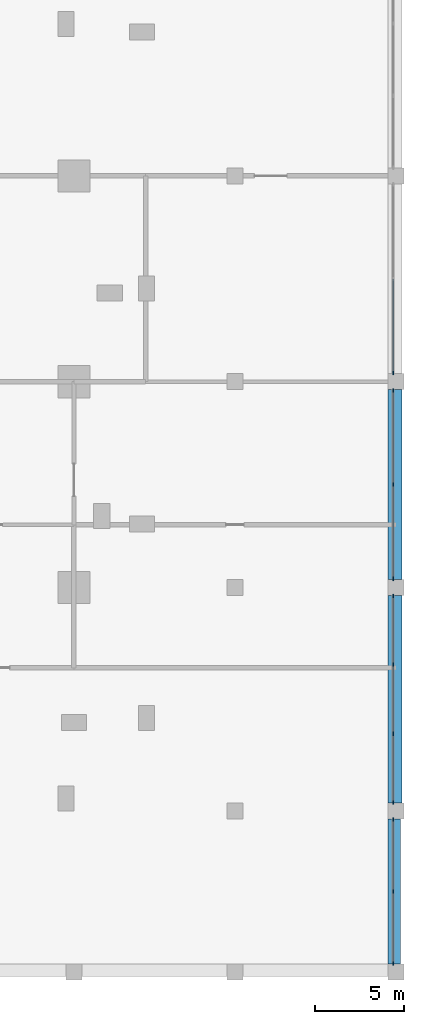
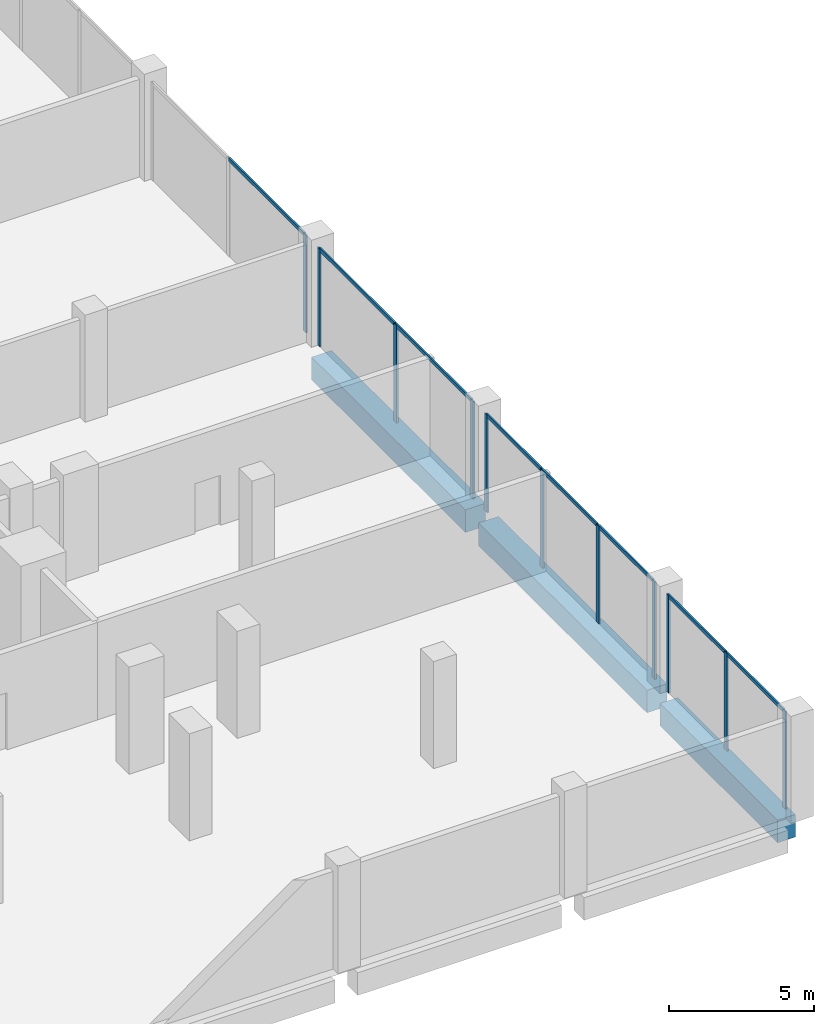
# One storey, part 8 of 22: 19 members, 3 beams, 4 elements without a shape of their own.
"""IFC4 building model written with IfcOpenShell, lengths in metres."""

from ifc_helpers import new_model, si_unit, direction, frame, origin, origin_2d, place, context, subcontext, project, spatial, rectangle, extrude, material, layer, layer_set, material_profile, profile_set, type_object, element, aggregate, save


model = new_model("IFC4")

# Units and contexts
model_context = context("Model", 3, precision=1e-05, world=origin(), true_north=direction((0.0, 1.0)))
body_context = subcontext(model_context, "Body", "Model", "MODEL_VIEW")
ifc_project = project(units=[si_unit("LENGTHUNIT", "METRE"), si_unit("AREAUNIT", "SQUARE_METRE"), si_unit("VOLUMEUNIT", "CUBIC_METRE"), si_unit("PLANEANGLEUNIT", "RADIAN"), si_unit("MASSUNIT", "GRAM", prefix="KILO")], contexts=[model_context])

# Site, building, storey
site_placement = place(None, origin())
site = spatial("IfcSite", under=ifc_project, at=site_placement, CompositionType="ELEMENT")
building_placement = place(site_placement, origin())
building = spatial("IfcBuilding", under=site, at=building_placement, Name="Brigalow Station Residences", CompositionType="ELEMENT")
storey_placement = place(building_placement, frame((0.0, 0.0, 6.5)))
storey = spatial("IfcBuildingStorey", under=building, at=storey_placement, Name="L01", CompositionType="ELEMENT", Elevation=6.5)

# Beams
ifc_material_1 = material(Name="Concrete C65", Category="concrete")
ifc_material_profile_1 = material_profile(ifc_material_1, rectangle(XDim=0.699951171875, YDim=0.949951171875, at=origin_2d()), Name="RC700x950")
ifc_profile_set_1 = profile_set([ifc_material_profile_1], Name="Concrete C65")
beam_type_1 = type_object("IfcBeamType", Name="EDGE GIRDER 4.5 TO 9.9 M SPAN 700x950 C65", PredefinedType="BEAM", material=ifc_profile_set_1)
beam_1_placement = place(storey_placement, frame((89.89990234375, -8.550048828125, -0.876953125), z_axis=(0.0, 1.0, 0.0), x_axis=(-1.0, 0.0, 0.0)))
element("IfcBeam", 1, at=beam_1_placement, inside=storey, type_object=beam_type_1, Name="PODIUM EDGE GIRDER E13 L01", PredefinedType="BEAM", context=body_context, shape_type="SweptSolid", body=[
    extrude(rectangle(XDim=0.699951171875, YDim=0.949951171875, at=origin_2d()), origin(), (0.0, 0.0, 1.0), 8.10009765625),
])
ifc_material_2 = material(Name="Concrete C65", Category="concrete")
ifc_material_profile_2 = material_profile(ifc_material_2, rectangle(XDim=0.800048828125, YDim=0.949951171875, at=origin_2d()), Name="RC800x950")
ifc_profile_set_2 = profile_set([ifc_material_profile_2], Name="Concrete C65")
beam_type_2 = type_object("IfcBeamType", Name="EDGE GIRDER OVER 9.9 M SPAN 800x950 C65", PredefinedType="BEAM", material=ifc_profile_set_2)
beam_2_placement = place(storey_placement, frame((89.949951171875, 0.449951171875, -0.876953125), z_axis=(0.0, 1.0, 0.0), x_axis=(-1.0, 0.0, 0.0)))
element("IfcBeam", 2, at=beam_2_placement, inside=storey, type_object=beam_type_2, Name="PODIUM EDGE GIRDER E14 L01", PredefinedType="BEAM", context=body_context, shape_type="SweptSolid", body=[
    extrude(rectangle(XDim=0.800048828125, YDim=0.949951171875, at=origin_2d()), origin(), (0.0, 0.0, 1.0), 11.60009765625),
])
beam_3_placement = place(storey_placement, frame((89.949951171875, 12.949951171875, -0.876953125), z_axis=(0.0, 1.0, 0.0), x_axis=(-1.0, 0.0, 0.0)))
element("IfcBeam", 3, at=beam_3_placement, inside=storey, type_object=beam_type_2, Name="PODIUM EDGE GIRDER E15 L01", PredefinedType="BEAM", context=body_context, shape_type="SweptSolid", body=[
    extrude(rectangle(XDim=0.800048828125, YDim=0.949951171875, at=origin_2d()), origin(), (0.0, 0.0, 1.0), 10.60009765625),
])

# Curtain wall, members
ifc_material_3 = material(Name="Aluminium", Category="aluminium")
ifc_layer = layer(ifc_material_3, 0.199951171875)
ifc_layer_set = layer_set([ifc_layer], Name="PODIUM UNITISED GLAZING CURTAIN WALL")
curtain_wall_type = type_object("IfcCurtainWallType", Name="PODIUM UNITISED GLAZING CURTAIN WALL", PredefinedType="NOTDEFINED", material=ifc_layer_set)
curtain_wall_1_placement = place(storey_placement, origin())
curtain_wall_1 = element("IfcCurtainWall", 4, at=curtain_wall_1_placement, inside=storey, type_object=curtain_wall_type, Name="L01/cw/podium-W-L01-13-1", PredefinedType="NOTDEFINED")
ifc_material_4 = material(Name="Aluminium", Category="aluminium")
ifc_material_profile_3 = material_profile(ifc_material_4, rectangle(XDim=0.06494140625, YDim=0.199951171875, at=origin_2d()), Name="PODIUM UNITISED GLAZING MULLION 65x200")
ifc_profile_set_3 = profile_set([ifc_material_profile_3], Name="Aluminium")
member_type_1 = type_object("IfcMemberType", Name="PODIUM UNITISED GLAZING MULLION 65x200", PredefinedType="MULLION", material=ifc_profile_set_3)
member_1_placement = place(storey_placement, frame((89.85009765625, -8.517578125, 0.0), z_axis=(0.0, 0.0, 1.0), x_axis=(-1.0, 0.0, 0.0)))
member_1 = element("IfcMember", 5, at=member_1_placement, type_object=member_type_1, Name="L01/cw/podium-W-L01-13-1/M00", PredefinedType="MULLION", context=body_context, shape_type="SweptSolid", body=[
    extrude(rectangle(XDim=0.06494140625, YDim=0.199951171875, at=origin_2d()), origin(), (0.0, 0.0, 1.0), 4.097900390625),
])
member_2_placement = place(storey_placement, frame((89.85009765625, -4.5, 0.0), z_axis=(0.0, 0.0, 1.0), x_axis=(-1.0, 0.0, 0.0)))
member_2 = element("IfcMember", 6, at=member_2_placement, type_object=member_type_1, Name="L01/cw/podium-W-L01-13-1/M01", PredefinedType="MULLION", context=body_context, shape_type="SweptSolid", body=[
    extrude(rectangle(XDim=0.06494140625, YDim=0.199951171875, at=origin_2d()), origin(), (0.0, 0.0, 1.0), 4.097900390625),
])
member_3_placement = place(storey_placement, frame((89.85009765625, -0.482421875, 0.0), z_axis=(0.0, 0.0, 1.0), x_axis=(-1.0, 0.0, 0.0)))
member_3 = element("IfcMember", 7, at=member_3_placement, type_object=member_type_1, Name="L01/cw/podium-W-L01-13-1/M02", PredefinedType="MULLION", context=body_context, shape_type="SweptSolid", body=[
    extrude(rectangle(XDim=0.06494140625, YDim=0.199951171875, at=origin_2d()), origin(), (0.0, 0.0, 1.0), 4.097900390625),
])

curtain_wall_2_placement = place(storey_placement, origin())
curtain_wall_2 = element("IfcCurtainWall", 8, at=curtain_wall_2_placement, inside=storey, type_object=curtain_wall_type, Name="L01/cw/podium-W-L01-13-2", PredefinedType="NOTDEFINED")
member_4_placement = place(storey_placement, frame((89.85009765625, 0.482421875, 0.0), z_axis=(0.0, 0.0, 1.0), x_axis=(-1.0, 0.0, 0.0)))
member_4 = element("IfcMember", 9, at=member_4_placement, type_object=member_type_1, Name="L01/cw/podium-W-L01-13-2/M00", PredefinedType="MULLION", context=body_context, shape_type="SweptSolid", body=[
    extrude(rectangle(XDim=0.06494140625, YDim=0.199951171875, at=origin_2d()), origin(), (0.0, 0.0, 1.0), 4.097900390625),
])
member_5_placement = place(storey_placement, frame((89.85009765625, 4.316650390625, 0.0), z_axis=(0.0, 0.0, 1.0), x_axis=(-1.0, 0.0, 0.0)))
member_5 = element("IfcMember", 10, at=member_5_placement, type_object=member_type_1, Name="L01/cw/podium-W-L01-13-2/M01", PredefinedType="MULLION", context=body_context, shape_type="SweptSolid", body=[
    extrude(rectangle(XDim=0.06494140625, YDim=0.199951171875, at=origin_2d()), origin(), (0.0, 0.0, 1.0), 4.097900390625),
])
member_6_placement = place(storey_placement, frame((89.85009765625, 8.183349609375, 0.0), z_axis=(0.0, 0.0, 1.0), x_axis=(-1.0, 0.0, 0.0)))
member_6 = element("IfcMember", 11, at=member_6_placement, type_object=member_type_1, Name="L01/cw/podium-W-L01-13-2/M02", PredefinedType="MULLION", context=body_context, shape_type="SweptSolid", body=[
    extrude(rectangle(XDim=0.06494140625, YDim=0.199951171875, at=origin_2d()), origin(), (0.0, 0.0, 1.0), 4.097900390625),
])
member_7_placement = place(storey_placement, frame((89.85009765625, 12.017578125, 0.0), z_axis=(0.0, 0.0, 1.0), x_axis=(-1.0, 0.0, 0.0)))
member_7 = element("IfcMember", 12, at=member_7_placement, type_object=member_type_1, Name="L01/cw/podium-W-L01-13-2/M03", PredefinedType="MULLION", context=body_context, shape_type="SweptSolid", body=[
    extrude(rectangle(XDim=0.06494140625, YDim=0.199951171875, at=origin_2d()), origin(), (0.0, 0.0, 1.0), 4.097900390625),
])

curtain_wall_3_placement = place(storey_placement, origin())
curtain_wall_3 = element("IfcCurtainWall", 13, at=curtain_wall_3_placement, inside=storey, type_object=curtain_wall_type, Name="L01/cw/podium-W-L01-13-3", PredefinedType="NOTDEFINED")
member_8_placement = place(storey_placement, frame((89.85009765625, 12.982421875, 0.0), z_axis=(0.0, 0.0, 1.0), x_axis=(-1.0, 0.0, 0.0)))
member_8 = element("IfcMember", 14, at=member_8_placement, type_object=member_type_1, Name="L01/cw/podium-W-L01-13-3/M00", PredefinedType="MULLION", context=body_context, shape_type="SweptSolid", body=[
    extrude(rectangle(XDim=0.06494140625, YDim=0.199951171875, at=origin_2d()), origin(), (0.0, 0.0, 1.0), 4.097900390625),
])
member_9_placement = place(storey_placement, frame((89.85009765625, 18.25, 0.0), z_axis=(0.0, 0.0, 1.0), x_axis=(-1.0, 0.0, 0.0)))
member_9 = element("IfcMember", 15, at=member_9_placement, type_object=member_type_1, Name="L01/cw/podium-W-L01-13-3/M01", PredefinedType="MULLION", context=body_context, shape_type="SweptSolid", body=[
    extrude(rectangle(XDim=0.06494140625, YDim=0.199951171875, at=origin_2d()), origin(), (0.0, 0.0, 1.0), 4.097900390625),
])
member_10_placement = place(storey_placement, frame((89.85009765625, 23.517578125, 0.0), z_axis=(0.0, 0.0, 1.0), x_axis=(-1.0, 0.0, 0.0)))
member_10 = element("IfcMember", 16, at=member_10_placement, type_object=member_type_1, Name="L01/cw/podium-W-L01-13-3/M02", PredefinedType="MULLION", context=body_context, shape_type="SweptSolid", body=[
    extrude(rectangle(XDim=0.06494140625, YDim=0.199951171875, at=origin_2d()), origin(), (0.0, 0.0, 1.0), 4.097900390625),
])

# Curtain wall, member
curtain_wall_4_placement = place(storey_placement, origin())
curtain_wall_4 = element("IfcCurtainWall", 17, at=curtain_wall_4_placement, inside=storey, type_object=curtain_wall_type, Name="L01/cw/podium-W-L01-13-4", PredefinedType="NOTDEFINED")
member_11_placement = place(storey_placement, frame((89.85009765625, 24.482421875, 0.0), z_axis=(0.0, 0.0, 1.0), x_axis=(-1.0, 0.0, 0.0)))
member_11 = element("IfcMember", 18, at=member_11_placement, type_object=member_type_1, Name="L01/cw/podium-W-L01-13-4/M00", PredefinedType="MULLION", context=body_context, shape_type="SweptSolid", body=[
    extrude(rectangle(XDim=0.06494140625, YDim=0.199951171875, at=origin_2d()), origin(), (0.0, 0.0, 1.0), 4.097900390625),
])

# Member
ifc_material_5 = material(Name="Aluminium", Category="aluminium")
ifc_material_profile_4 = material_profile(ifc_material_5, rectangle(XDim=0.06494140625, YDim=0.14990234375, at=origin_2d()), Name="PODIUM UNITISED GLAZING TRANSOM 65x150")
ifc_profile_set_4 = profile_set([ifc_material_profile_4], Name="Aluminium")
member_type_2 = type_object("IfcMemberType", Name="PODIUM UNITISED GLAZING TRANSOM 65x150", PredefinedType="USERDEFINED", material=ifc_profile_set_4)
member_12_placement = place(storey_placement, frame((89.85009765625, -8.485107421875, 4.0654296875), z_axis=(0.0, 1.0, 0.0), x_axis=(-1.0, 0.0, 0.0)))
member_12 = element("IfcMember", 19, at=member_12_placement, type_object=member_type_2, Name="L01/cw/podium-W-L01-13-1/T00-00", ObjectType="TRANSOM", PredefinedType="USERDEFINED", context=body_context, shape_type="SweptSolid", body=[
    extrude(rectangle(XDim=0.06494140625, YDim=0.14990234375, at=origin_2d()), origin(), (0.0, 0.0, 1.0), 3.95263671875),
])

member_13_placement = place(storey_placement, frame((89.85009765625, -4.467529296875, 4.0654296875), z_axis=(0.0, 1.0, 0.0), x_axis=(-1.0, 0.0, 0.0)))
member_13 = element("IfcMember", 20, at=member_13_placement, type_object=member_type_2, Name="L01/cw/podium-W-L01-13-1/T01-00", ObjectType="TRANSOM", PredefinedType="USERDEFINED", context=body_context, shape_type="SweptSolid", body=[
    extrude(rectangle(XDim=0.06494140625, YDim=0.14990234375, at=origin_2d()), origin(), (0.0, 0.0, 1.0), 3.95263671875),
])

aggregate(curtain_wall_1, [member_1, member_2, member_3, member_12, member_13])

member_14_placement = place(storey_placement, frame((89.85009765625, 0.514892578125, 4.0654296875), z_axis=(0.0, 1.0, 0.0), x_axis=(-1.0, 0.0, 0.0)))
member_14 = element("IfcMember", 21, at=member_14_placement, type_object=member_type_2, Name="L01/cw/podium-W-L01-13-2/T00-00", ObjectType="TRANSOM", PredefinedType="USERDEFINED", context=body_context, shape_type="SweptSolid", body=[
    extrude(rectangle(XDim=0.06494140625, YDim=0.14990234375, at=origin_2d()), origin(), (0.0, 0.0, 1.0), 3.769287109375),
])

member_15_placement = place(storey_placement, frame((89.85009765625, 4.34912109375, 4.0654296875), z_axis=(0.0, 1.0, 0.0), x_axis=(-1.0, 0.0, 0.0)))
member_15 = element("IfcMember", 22, at=member_15_placement, type_object=member_type_2, Name="L01/cw/podium-W-L01-13-2/T01-00", ObjectType="TRANSOM", PredefinedType="USERDEFINED", context=body_context, shape_type="SweptSolid", body=[
    extrude(rectangle(XDim=0.06494140625, YDim=0.14990234375, at=origin_2d()), origin(), (0.0, 0.0, 1.0), 3.8017578125),
])

member_16_placement = place(storey_placement, frame((89.85009765625, 8.2158203125, 4.0654296875), z_axis=(0.0, 1.0, 0.0), x_axis=(-1.0, 0.0, 0.0)))
member_16 = element("IfcMember", 23, at=member_16_placement, type_object=member_type_2, Name="L01/cw/podium-W-L01-13-2/T02-00", ObjectType="TRANSOM", PredefinedType="USERDEFINED", context=body_context, shape_type="SweptSolid", body=[
    extrude(rectangle(XDim=0.06494140625, YDim=0.14990234375, at=origin_2d()), origin(), (0.0, 0.0, 1.0), 3.769287109375),
])

aggregate(curtain_wall_2, [member_4, member_5, member_6, member_7, member_14, member_15, member_16])

member_17_placement = place(storey_placement, frame((89.85009765625, 13.014892578125, 4.0654296875), z_axis=(0.0, 1.0, 0.0), x_axis=(-1.0, 0.0, 0.0)))
member_17 = element("IfcMember", 24, at=member_17_placement, type_object=member_type_2, Name="L01/cw/podium-W-L01-13-3/T00-00", ObjectType="TRANSOM", PredefinedType="USERDEFINED", context=body_context, shape_type="SweptSolid", body=[
    extrude(rectangle(XDim=0.06494140625, YDim=0.14990234375, at=origin_2d()), origin(), (0.0, 0.0, 1.0), 5.20263671875),
])

member_18_placement = place(storey_placement, frame((89.85009765625, 18.282470703125, 4.0654296875), z_axis=(0.0, 1.0, 0.0), x_axis=(-1.0, 0.0, 0.0)))
member_18 = element("IfcMember", 25, at=member_18_placement, type_object=member_type_2, Name="L01/cw/podium-W-L01-13-3/T01-00", ObjectType="TRANSOM", PredefinedType="USERDEFINED", context=body_context, shape_type="SweptSolid", body=[
    extrude(rectangle(XDim=0.06494140625, YDim=0.14990234375, at=origin_2d()), origin(), (0.0, 0.0, 1.0), 5.20263671875),
])

aggregate(curtain_wall_3, [member_8, member_9, member_10, member_17, member_18])

member_19_placement = place(storey_placement, frame((89.85009765625, 24.514892578125, 4.0654296875), z_axis=(0.0, 1.0, 0.0), x_axis=(-1.0, 0.0, 0.0)))
member_19 = element("IfcMember", 26, at=member_19_placement, type_object=member_type_2, Name="L01/cw/podium-W-L01-13-4/T00-00", ObjectType="TRANSOM", PredefinedType="USERDEFINED", context=body_context, shape_type="SweptSolid", body=[
    extrude(rectangle(XDim=0.06494140625, YDim=0.14990234375, at=origin_2d()), origin(), (0.0, 0.0, 1.0), 5.20263671875),
])

aggregate(curtain_wall_4, [member_11, member_19])

save(model, "model.ifc")
